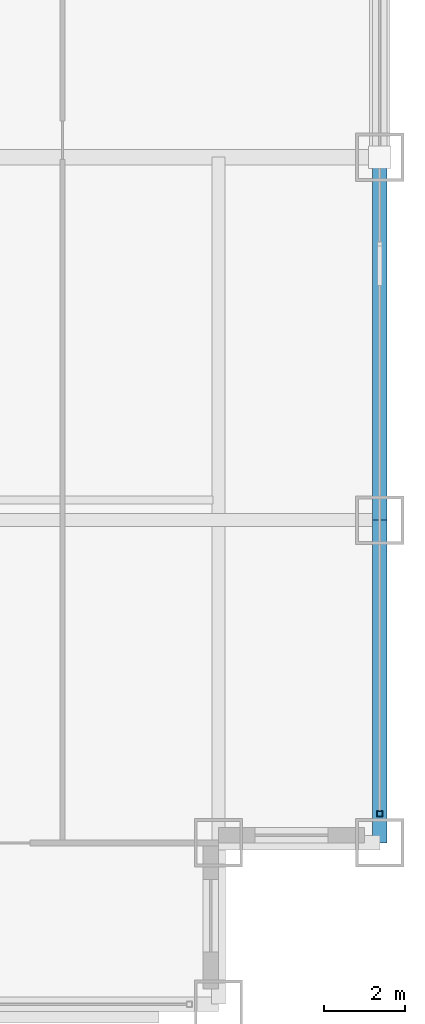
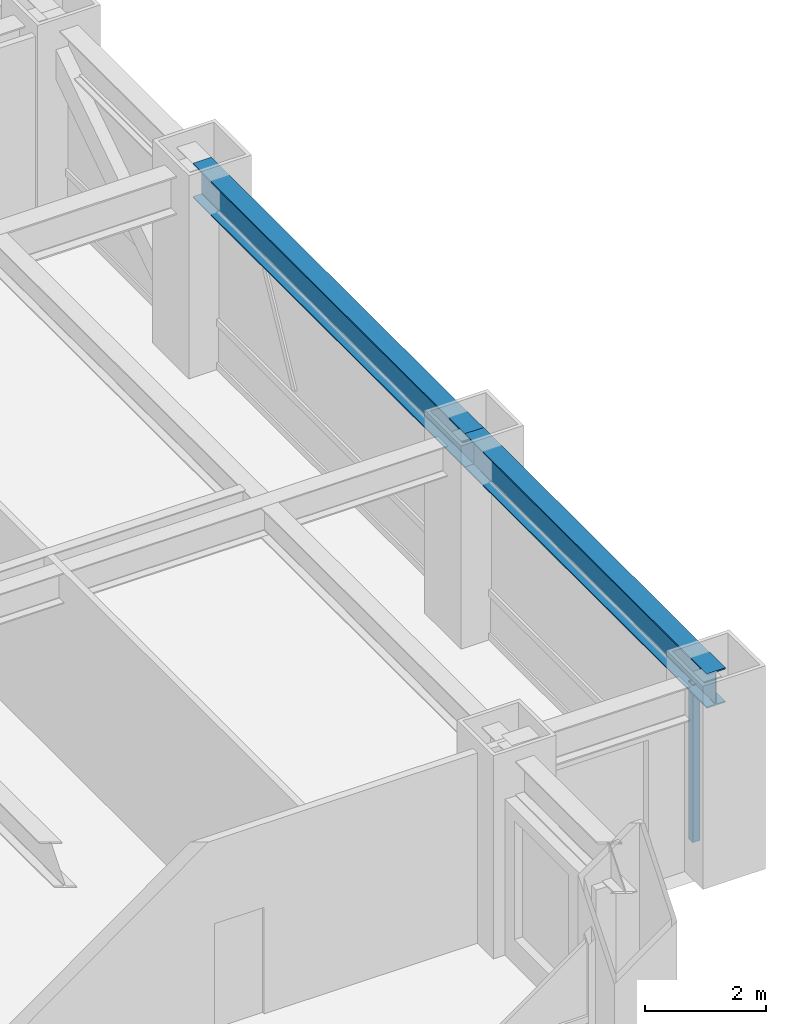
# One storey, part 12 of 32: 2 beams, 1 member, 1 element without a shape of its own.
"""IFC4 building model written with IfcOpenShell, lengths in metres."""

from ifc_helpers import new_model, si_unit, direction, frame, origin, origin_2d, place, context, subcontext, project, spatial, hollow_rectangle, i_section, extrude, source, transform, mapped, material, material_profile, profile_set, type_object, element, aggregate, save


model = new_model("IFC4")

# Units and contexts
model_context = context("Model", 3, precision=1e-05, world=origin(), true_north=direction((0.0, 1.0)))
body_context = subcontext(model_context, "Body", "Model", "MODEL_VIEW")
ifc_project = project(units=[si_unit("LENGTHUNIT", "METRE"), si_unit("AREAUNIT", "SQUARE_METRE"), si_unit("VOLUMEUNIT", "CUBIC_METRE"), si_unit("PLANEANGLEUNIT", "RADIAN"), si_unit("MASSUNIT", "GRAM", prefix="KILO")], contexts=[model_context])

# Site, building, storey
site_placement = place(None, origin())
site = spatial("IfcSite", under=ifc_project, at=site_placement, CompositionType="ELEMENT")
building_placement = place(site_placement, origin())
building = spatial("IfcBuilding", under=site, at=building_placement, Name="Khorayat Bourse Tower", CompositionType="ELEMENT")
storey_placement = place(building_placement, frame((0.0, 0.0, 132.39990234375)))
storey = spatial("IfcBuildingStorey", under=building, at=storey_placement, Name="L30", CompositionType="ELEMENT", Elevation=132.39990234375)

# Beams
ifc_material_1 = material(Name="Steel ASTM A992 Grade 50", Category="steel")
ifc_material_profile_1 = material_profile(ifc_material_1, i_section(OverallWidth=0.35498046875, OverallDepth=0.695068359375, WebThickness=0.015380859375, FlangeThickness=0.02490234375, FilletRadius=0.01806640625, at=origin_2d()), Name="W690X217")
ifc_profile_set_1 = profile_set([ifc_material_profile_1], Name="Steel ASTM A992 Grade 50")
beam_type = type_object("IfcBeamType", Name="BM-SPAN-690", PredefinedType="SPANDREL", material=ifc_profile_set_1)
shared_shape_1 = source(origin(), body_context, "Body", "SweptSolid", [
    extrude(i_section(OverallWidth=0.35498046875, OverallDepth=0.695068359375, WebThickness=0.015380859375, FlangeThickness=0.02490234375, FilletRadius=0.01806640625, at=origin_2d()), origin(), (0.0, 0.0, 1.0), 9.0),
])
beam_1_placement = place(storey_placement, frame((32.0, -20.0, 3.49267578125), z_axis=(0.0, 1.0, 0.0), x_axis=(-1.0, 0.0, 0.0)))
element("IfcBeam", 1, at=beam_1_placement, inside=storey, type_object=beam_type, Name="L30 BM-SPAN-690 BM-L30-SPN-035", PredefinedType="SPANDREL", context=body_context, shape_type="MappedRepresentation", body=[
    mapped(shared_shape_1, transform((0.0, 0.0, 0.0), scale=1.0)),
])
shared_shape_2 = source(origin(), body_context, "Body", "SweptSolid", [
    extrude(i_section(OverallWidth=0.35498046875, OverallDepth=0.695068359375, WebThickness=0.015380859375, FlangeThickness=0.02490234375, FilletRadius=0.01806640625, at=origin_2d()), origin(), (0.0, 0.0, 1.0), 8.0),
])
beam_2_placement = place(storey_placement, frame((32.0, -28.0, 3.49267578125), z_axis=(0.0, 1.0, 0.0), x_axis=(-1.0, 0.0, 0.0)))
element("IfcBeam", 2, at=beam_2_placement, inside=storey, type_object=beam_type, Name="L30 BM-SPAN-690 BM-L30-SPN-034", PredefinedType="SPANDREL", context=body_context, shape_type="MappedRepresentation", body=[
    mapped(shared_shape_2, transform((0.0, 0.0, 0.0), scale=1.0)),
])

# Curtain wall, member
ifc_material_2 = material(Name="Aluminium EN AW-6063 T6", Category="aluminium")
curtain_wall_type = type_object("IfcCurtainWallType", Name="CW-SYS-02", PredefinedType="NOTDEFINED", material=ifc_material_2)
curtain_wall_placement = place(storey_placement, origin())
curtain_wall = element("IfcCurtainWall", 3, at=curtain_wall_placement, inside=storey, type_object=curtain_wall_type, Name="L30 Curtain Wall CW-L30-E1", PredefinedType="NOTDEFINED")
ifc_material_profile_2 = material_profile(ifc_material_2, hollow_rectangle(XDim=0.139892578125, YDim=0.139892578125, WallThickness=0.006103515625, at=origin_2d()), Name="ALU 140x140x6")
ifc_profile_set_2 = profile_set([ifc_material_profile_2], Name="Aluminium EN AW-6063 T6")
member_type = type_object("IfcMemberType", Name="CWM-VERT-140", PredefinedType="MULLION", material=ifc_profile_set_2)
shared_shape_3 = source(origin(), body_context, "Body", "SweptSolid", [
    extrude(hollow_rectangle(XDim=0.139892578125, YDim=0.139892578125, WallThickness=0.006103515625, at=origin_2d()), origin(), (0.0, 0.0, 1.0), 3.190185546875),
])
member_placement = place(storey_placement, frame((32.0, -27.280029296875, 0.0), z_axis=(0.0, 0.0, 1.0), x_axis=(-1.0, 0.0, 0.0)))
member = element("IfcMember", 4, at=member_placement, type_object=member_type, Name="CW-L30-E1 Vertical Mullion 1", PredefinedType="MULLION", context=body_context, shape_type="MappedRepresentation", body=[
    mapped(shared_shape_3, transform((0.0, 0.0, 0.0), scale=1.0)),
])
aggregate(curtain_wall, [member])

save(model, "model.ifc")
